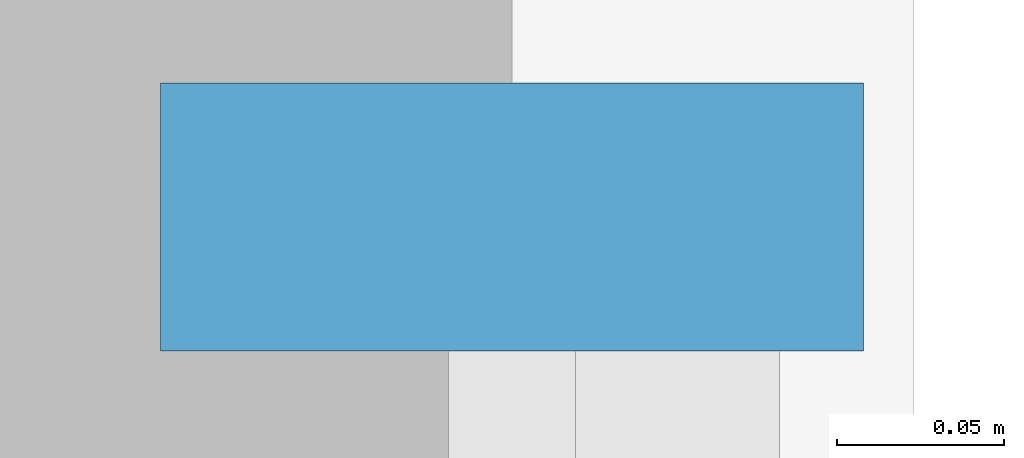
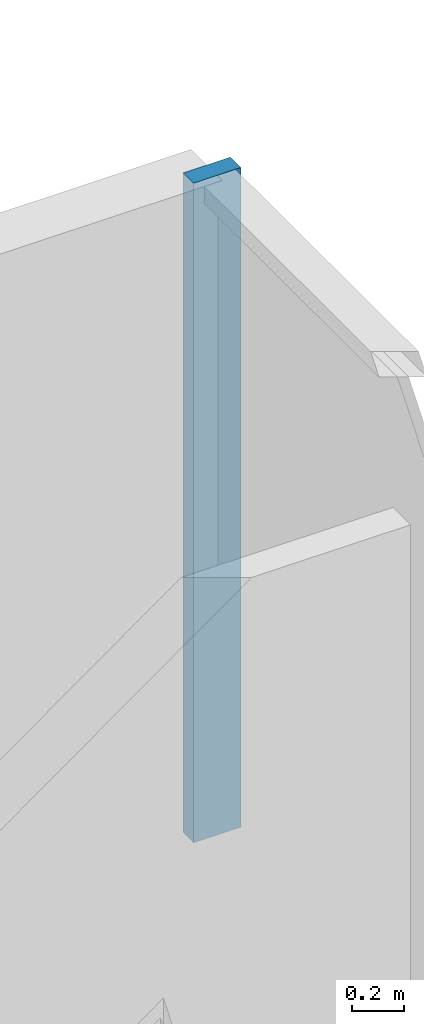
# One storey, part 5 of 12: 1 member, 1 element without a shape of its own.
"""IFC4 building model written with IfcOpenShell, lengths in metres."""

from ifc_helpers import new_model, si_unit, direction, frame, origin, origin_2d, place, context, subcontext, project, spatial, rectangle, extrude, source, transform, mapped, material, layer, layer_set, material_profile, profile_set, type_object, element, aggregate, save


model = new_model("IFC4")

# Units and contexts
model_context = context("Model", 3, precision=1e-05, world=origin(), true_north=direction((0.0, 1.0)))
body_context = subcontext(model_context, "Body", "Model", "MODEL_VIEW")
ifc_project = project(units=[si_unit("LENGTHUNIT", "METRE"), si_unit("AREAUNIT", "SQUARE_METRE"), si_unit("VOLUMEUNIT", "CUBIC_METRE"), si_unit("PLANEANGLEUNIT", "RADIAN"), si_unit("MASSUNIT", "GRAM", prefix="KILO")], contexts=[model_context])

# Site, building, storey
site_placement = place(None, origin())
site = spatial("IfcSite", under=ifc_project, at=site_placement, CompositionType="ELEMENT")
building_placement = place(site_placement, origin())
building = spatial("IfcBuilding", under=site, at=building_placement, Name="Qianlan Lanfeng Residences", CompositionType="ELEMENT")
storey_placement = place(building_placement, frame((0.0, 0.0, 85.0)))
storey = spatial("IfcBuildingStorey", under=building, at=storey_placement, Name="L22", CompositionType="ELEMENT", Elevation=85.0)

# Curtain wall, member
ifc_material = material(Name="Anodised Bronze Aluminium 6063-T6", Category="aluminium")
ifc_layer = layer(ifc_material, 0.219970703125)
ifc_layer_set = layer_set([ifc_layer], Name="Anodised Bronze Aluminium 6063-T6")
curtain_wall_type = type_object("IfcCurtainWallType", Name="CW-03", PredefinedType="NOTDEFINED", material=ifc_layer_set)
curtain_wall_placement = place(storey_placement, origin())
curtain_wall = element("IfcCurtainWall", 1, at=curtain_wall_placement, inside=storey, type_object=curtain_wall_type, Name="L22 Unitised Curtain Wall CWR-L22-05 (CW-03)", PredefinedType="NOTDEFINED")
ifc_material_profile = material_profile(ifc_material, rectangle(XDim=0.080078125, YDim=0.2099609375, at=origin_2d()), Name="ALU MULLION 80x210")
ifc_profile_set = profile_set([ifc_material_profile], Name="Anodised Bronze Aluminium 6063-T6")
member_type = type_object("IfcMemberType", Name="CWM-220", PredefinedType="MULLION", material=ifc_profile_set)
shared_shape = source(origin(), body_context, "Body", "SweptSolid", [
    extrude(rectangle(XDim=0.080078125, YDim=0.2099609375, at=origin_2d()), origin(), (0.0, 0.0, 1.0), 3.090087890625),
])
member_placement = place(storey_placement, frame((51.3798828125, 35.2900390625, 0.0), z_axis=(0.0, 0.0, 1.0), x_axis=(0.0, 1.0, 0.0)))
member = element("IfcMember", 2, at=member_placement, type_object=member_type, Name="CWR-L22-05 Mullion 3", PredefinedType="MULLION", context=body_context, shape_type="MappedRepresentation", body=[
    mapped(shared_shape, transform((0.0, 0.0, 0.0), scale=1.0)),
])
aggregate(curtain_wall, [member])

save(model, "model.ifc")
